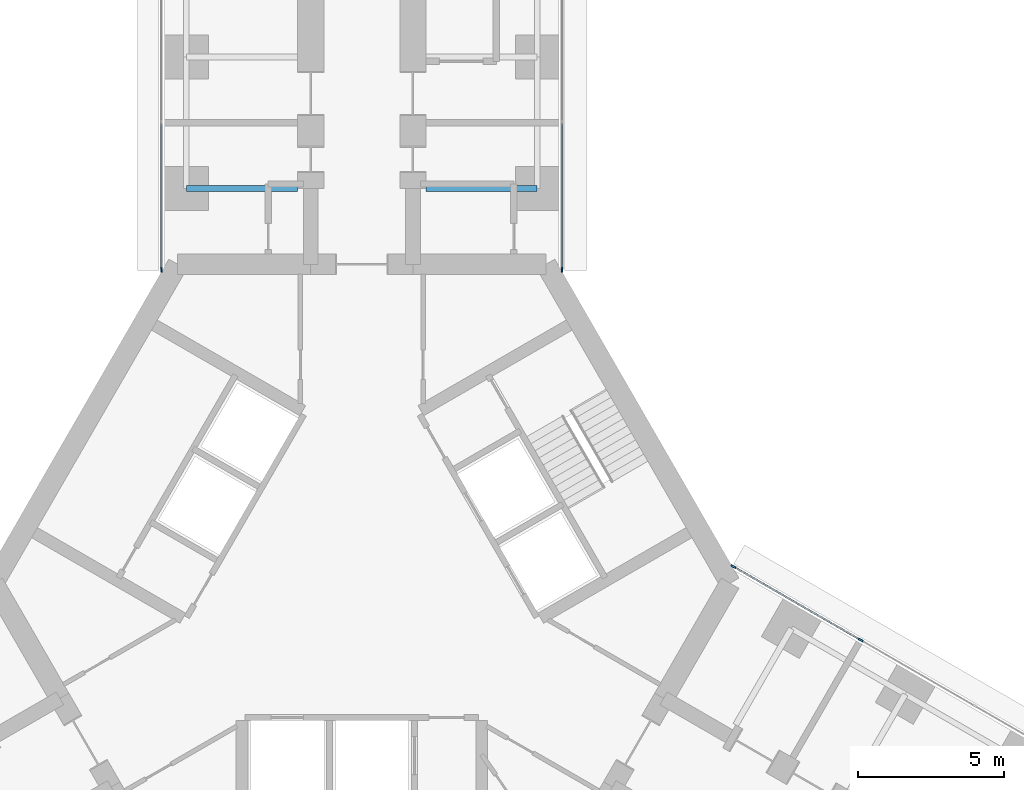
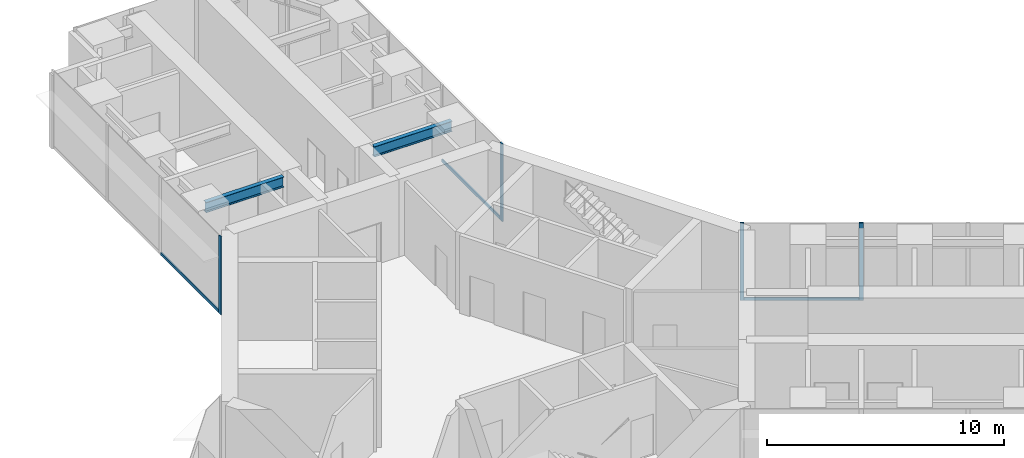
# One storey, part 11 of 22: 7 members, 2 beams, 3 elements without a shape of their own.
"""IFC4 building model written with IfcOpenShell, lengths in metres."""

from ifc_helpers import new_model, si_unit, direction, frame, origin, origin_2d, place, context, subcontext, project, spatial, rectangle, i_section, extrude, material, material_profile, profile_set, type_object, element, aggregate, save


model = new_model("IFC4")

# Units and contexts
model_context = context("Model", 3, precision=1e-05, world=origin(), true_north=direction((0.0, 1.0)))
body_context = subcontext(model_context, "Body", "Model", "MODEL_VIEW")
ifc_project = project(units=[si_unit("LENGTHUNIT", "METRE"), si_unit("AREAUNIT", "SQUARE_METRE"), si_unit("VOLUMEUNIT", "CUBIC_METRE"), si_unit("PLANEANGLEUNIT", "RADIAN"), si_unit("MASSUNIT", "GRAM", prefix="KILO")], contexts=[model_context])

# Site, building, storey
site_placement = place(None, origin())
site = spatial("IfcSite", under=ifc_project, at=site_placement, CompositionType="ELEMENT")
building_placement = place(site_placement, origin())
building = spatial("IfcBuilding", under=site, at=building_placement, Name="Upepo Twin Towers", CompositionType="ELEMENT")
storey_placement = place(building_placement, frame((0.0, 0.0, 44.5)))
storey = spatial("IfcBuildingStorey", under=building, at=storey_placement, Name="L10", CompositionType="ELEMENT", Elevation=44.5)

# Beams
ifc_material_1 = material(Name="Steel S355", Category="steel")
ifc_material_profile_1 = material_profile(ifc_material_1, i_section(OverallWidth=0.209228515625, OverallDepth=0.533203125, WebThickness=0.010009765625, FlangeThickness=0.015625, FilletRadius=0.0126953125, at=origin_2d()), Name="UB 533x210x92")
ifc_profile_set_1 = profile_set([ifc_material_profile_1], Name="Steel S355")
beam_type = type_object("IfcBeamType", Name="Beam UB 533x210x92", PredefinedType="BEAM", material=ifc_profile_set_1)
for number, where, z_axis, x_axis, name in (
    (1, (52.5, -4.5, 3.533447265625), (1.0, 0.0, 0.0), (0.0, 1.0, 0.0), "T2 girder AL at 13.5"),
    (2, (64.5, -4.5, 3.533447265625), (-1.0, 0.0, 0.0), (0.0, -1.0, 0.0), "T2 girder AR at 13.5"),
):
    element("IfcBeam", number, at=place(storey_placement, frame(where, z_axis=z_axis, x_axis=x_axis)), inside=storey, type_object=beam_type, Name=name, PredefinedType="BEAM", context=body_context, shape_type="SweptSolid", body=[
        extrude(i_section(OverallWidth=0.209228515625, OverallDepth=0.533203125, WebThickness=0.010009765625, FlangeThickness=0.015625, FilletRadius=0.0126953125, at=origin_2d()), origin(), (0.0, 0.0, 1.0), 3.800048828125),
    ])

# Curtain wall, member
ifc_material_2 = material(Name="Aluminium and fritted glass", Category="aluminium")
curtain_wall_type = type_object("IfcCurtainWallType", Name="Tower curtain wall TW1, fritted glass", PredefinedType="NOTDEFINED", material=ifc_material_2)
curtain_wall_1_placement = place(storey_placement, origin())
curtain_wall_1 = element("IfcCurtainWall", 3, at=curtain_wall_1_placement, inside=storey, type_object=curtain_wall_type, Name="T2 L10 wing A flank L curtain wall", PredefinedType="NOTDEFINED")
ifc_material_3 = material(Name="Aluminium mullion", Category="aluminium")
ifc_material_profile_2 = material_profile(ifc_material_3, rectangle(XDim=0.06494140625, YDim=0.179931640625, at=origin_2d()), Name="MULLION 65x180")
ifc_profile_set_2 = profile_set([ifc_material_profile_2], Name="Aluminium mullion")
member_type_1 = type_object("IfcMemberType", Name="Mullion 65x180 TW1", PredefinedType="MULLION", material=ifc_profile_set_2)
member_1_placement = place(storey_placement, frame((51.64990234375, -7.2802734375, 0.0), z_axis=(0.0, 0.0, 1.0), x_axis=(-1.0, 0.0, 0.0)))
member_1 = element("IfcMember", 4, at=member_1_placement, type_object=member_type_1, Name="T2 L10 wing A flank L curtain wall mullion 1", PredefinedType="MULLION", context=body_context, shape_type="SweptSolid", body=[
    extrude(rectangle(XDim=0.06494140625, YDim=0.179931640625, at=origin_2d()), origin(), (0.0, 0.0, 1.0), 4.0),
])

curtain_wall_2_placement = place(storey_placement, origin())
curtain_wall_2 = element("IfcCurtainWall", 5, at=curtain_wall_2_placement, inside=storey, type_object=curtain_wall_type, Name="T2 L10 wing A flank R curtain wall", PredefinedType="NOTDEFINED")
member_2_placement = place(storey_placement, frame((65.35009765625, -7.2802734375, 0.0), z_axis=(0.0, 0.0, 1.0), x_axis=(1.0, 0.0, 0.0)))
member_2 = element("IfcMember", 6, at=member_2_placement, type_object=member_type_1, Name="T2 L10 wing A flank R curtain wall mullion 4", PredefinedType="MULLION", context=body_context, shape_type="SweptSolid", body=[
    extrude(rectangle(XDim=0.06494140625, YDim=0.179931640625, at=origin_2d()), origin(), (0.0, 0.0, 1.0), 4.0),
])

# Curtain wall, members
curtain_wall_3_placement = place(storey_placement, origin())
curtain_wall_3 = element("IfcCurtainWall", 7, at=curtain_wall_3_placement, inside=storey, type_object=curtain_wall_type, Name="T2 L10 wing C flank L curtain wall", PredefinedType="NOTDEFINED")
member_3_placement = place(storey_placement, frame((71.20849609375, -17.427490234375, 0.0), z_axis=(0.0, 0.0, 1.0), x_axis=(0.500000024426, 0.866025389682, 0.0)))
member_3 = element("IfcMember", 8, at=member_3_placement, type_object=member_type_1, Name="T2 L10 wing C flank L curtain wall mullion 1", PredefinedType="MULLION", context=body_context, shape_type="SweptSolid", body=[
    extrude(rectangle(XDim=0.06494140625, YDim=0.179931640625, at=origin_2d()), origin(), (0.0, 0.0, 1.0), 4.0),
])
member_4_placement = place(storey_placement, frame((75.56494140625, -19.942626953125, 0.0), z_axis=(0.0, 0.0, 1.0), x_axis=(0.500000024426, 0.866025389682, 0.0)))
member_4 = element("IfcMember", 9, at=member_4_placement, type_object=member_type_1, Name="T2 L10 wing C flank L curtain wall mullion 2", PredefinedType="MULLION", context=body_context, shape_type="SweptSolid", body=[
    extrude(rectangle(XDim=0.06494140625, YDim=0.179931640625, at=origin_2d()), origin(), (0.0, 0.0, 1.0), 4.0),
])

# Member
ifc_material_4 = material(Name="Aluminium transom", Category="aluminium")
ifc_material_profile_3 = material_profile(ifc_material_4, rectangle(XDim=0.06494140625, YDim=0.14990234375, at=origin_2d()), Name="TRANSOM 65x150")
ifc_profile_set_3 = profile_set([ifc_material_profile_3], Name="Aluminium transom")
member_type_2 = type_object("IfcMemberType", Name="Transom 65x150 TW1", PredefinedType="USERDEFINED", material=ifc_profile_set_3)
member_5_placement = place(storey_placement, frame((51.64990234375, -7.247802734375, 0.074951171875), z_axis=(0.0, 1.0, 0.0), x_axis=(-1.0, 0.0, 0.0)))
member_5 = element("IfcMember", 10, at=member_5_placement, type_object=member_type_2, Name="T2 L10 wing A flank L curtain wall transom 1", ObjectType="TRANSOM", PredefinedType="USERDEFINED", context=body_context, shape_type="SweptSolid", body=[
    extrude(rectangle(XDim=0.06494140625, YDim=0.14990234375, at=origin_2d()), origin(), (0.0, 0.0, 1.0), 4.96533203125),
])

aggregate(curtain_wall_1, [member_1, member_5])

member_6_placement = place(storey_placement, frame((65.35009765625, -2.282470703125, 0.074951171875), z_axis=(0.0, -1.0, 0.0), x_axis=(1.0, 0.0, 0.0)))
member_6 = element("IfcMember", 11, at=member_6_placement, type_object=member_type_2, Name="T2 L10 wing A flank R curtain wall transom 3", ObjectType="TRANSOM", PredefinedType="USERDEFINED", context=body_context, shape_type="SweptSolid", body=[
    extrude(rectangle(XDim=0.06494140625, YDim=0.14990234375, at=origin_2d()), origin(), (0.0, 0.0, 1.0), 4.96533203125),
])

aggregate(curtain_wall_2, [member_2, member_6])

member_7_placement = place(storey_placement, frame((71.236572265625, -17.44384765625, 0.074951171875), z_axis=(0.866034933967, -0.499983492876, 0.0), x_axis=(0.499983492876, 0.866034933967, 0.0)))
member_7 = element("IfcMember", 12, at=member_7_placement, type_object=member_type_2, Name="T2 L10 wing C flank L curtain wall transom 1", ObjectType="TRANSOM", PredefinedType="USERDEFINED", context=body_context, shape_type="SweptSolid", body=[
    extrude(rectangle(XDim=0.06494140625, YDim=0.14990234375, at=origin_2d()), origin(), (0.0, 0.0, 1.0), 4.965576171875),
])

aggregate(curtain_wall_3, [member_3, member_4, member_7])

save(model, "model.ifc")
